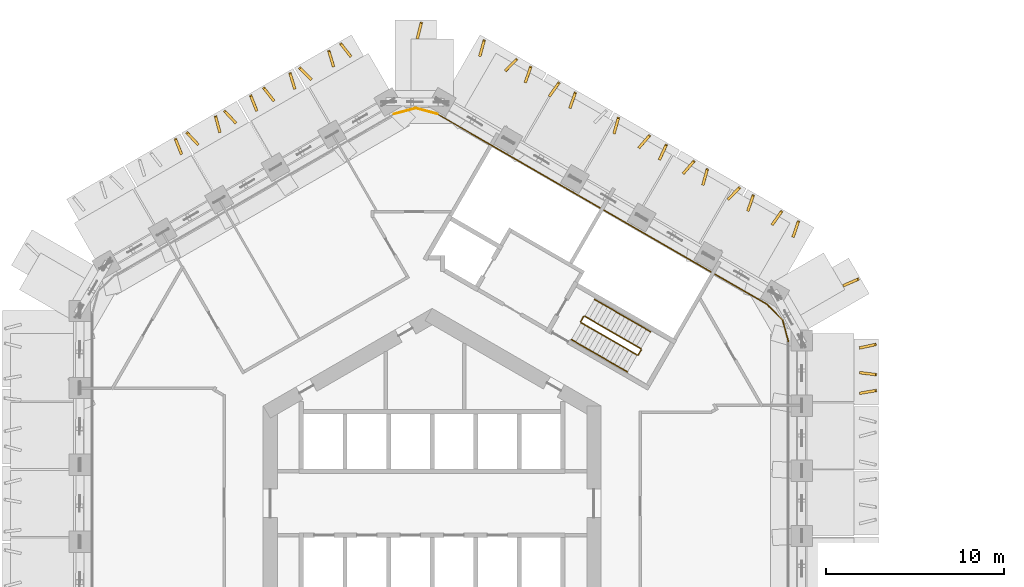
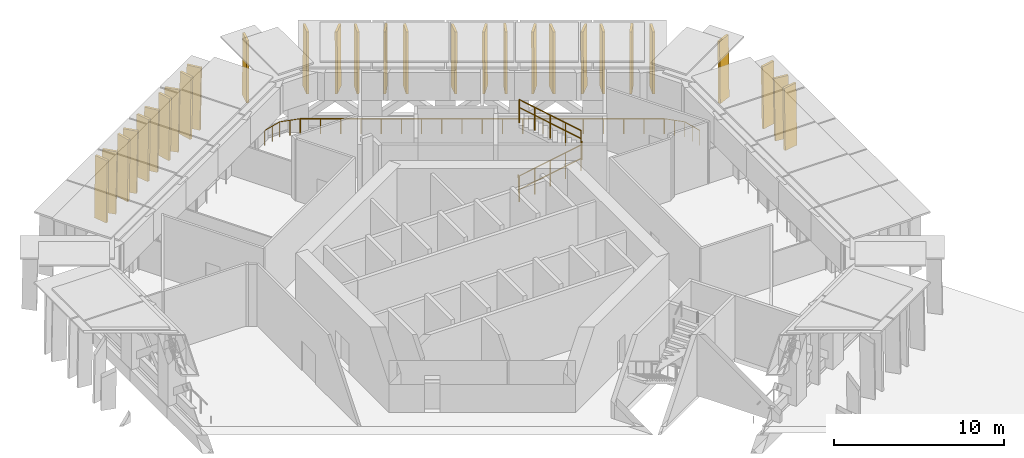
# One storey, part 15 of 16: 29 shading devices, 11 railings.
"""IFC4 building model written with IfcOpenShell, lengths in metres."""

from ifc_helpers import new_model, si_unit, direction, frame, origin, origin_2d, place, context, subcontext, project, spatial, polyline, circle, outline, extrude, material, layer, layer_set, type_object, element, save


model = new_model("IFC4")

# Units and contexts
model_context = context("Model", 3, precision=1e-05, world=origin(), true_north=direction((0.0, 1.0)))
body_context = subcontext(model_context, "Body", "Model", "MODEL_VIEW")
ifc_project = project(units=[si_unit("LENGTHUNIT", "METRE"), si_unit("AREAUNIT", "SQUARE_METRE"), si_unit("VOLUMEUNIT", "CUBIC_METRE"), si_unit("PLANEANGLEUNIT", "RADIAN"), si_unit("MASSUNIT", "GRAM", prefix="KILO")], contexts=[model_context])

# Site, building, storey
site_placement = place(None, origin())
site = spatial("IfcSite", under=ifc_project, at=site_placement, CompositionType="ELEMENT")
building_placement = place(site_placement, origin())
building = spatial("IfcBuilding", under=site, at=building_placement, Name="Ayvan Gate Tower", CompositionType="ELEMENT")
storey_placement = place(building_placement, frame((0.0, 0.0, 78.300048828125)))
storey = spatial("IfcBuildingStorey", under=building, at=storey_placement, Name="L20", CompositionType="ELEMENT", Elevation=78.300048828125)

# Shading devices
ifc_material_1 = material(Name="Bronze anodised aluminium", Category="aluminium")
ifc_layer = layer(ifc_material_1, 0.14990234375)
ifc_layer_set = layer_set([ifc_layer], Name="Bronze anodised aluminium")
shading_device_type = type_object("IfcShadingDeviceType", Name="Bronze fin 900 x 150", PredefinedType="USERDEFINED", material=ifc_layer_set)
shading_device_1_placement = place(storey_placement, frame((-4.5478515625, 25.22607421875, 0.0), z_axis=(0.784441628457, 0.620202553066, 0.000353147294), x_axis=(-0.62020259173, 0.784441677381, -3.7574e-08)))
element("IfcShadingDevice", 1, at=shading_device_1_placement, inside=storey, type_object=shading_device_type, Name="Bronze fin FG06.1.1", ObjectType="FIN", PredefinedType="USERDEFINED", context=body_context, shape_type="SweptSolid", body=[
    extrude(outline(polyline([(0.0, 0.0), (0.899997181562237, 0.0), (0.8281904565911985, 4.500000311722591), (-0.07195814161941003, 4.500000244084222), (0.0, 0.0)])), origin(), (0.0, 0.0, -1.0), 0.14990234375),
])
shading_device_2_placement = place(storey_placement, frame((-5.489501953125, 24.641845703125, 0.0), z_axis=(0.957613209961, 0.288056997303, 0.000326210674), x_axis=(-0.288057012626, 0.957613260913, -1.2742e-08)))
element("IfcShadingDevice", 2, at=shading_device_2_placement, inside=storey, type_object=shading_device_type, Name="Bronze fin FG06.1.2", ObjectType="FIN", PredefinedType="USERDEFINED", context=body_context, shape_type="SweptSolid", body=[
    extrude(outline(polyline([(0.0, 0.0), (0.9002072684798921, 0.0), (0.8282544108234199, 4.500000249983956), (-0.07171906535644455, 4.500000227045707), (0.0, 0.0)])), origin(), (0.0, 0.0, -1.0), 0.14990234375),
])
shading_device_3_placement = place(storey_placement, frame((-6.785400390625, 23.932373046875, 0.0), z_axis=(0.707174546343, 0.707038916395, 0.00036291607), x_axis=(-0.707038962965, 0.707174592904, 3.4805e-08)))
element("IfcShadingDevice", 3, at=shading_device_3_placement, inside=storey, type_object=shading_device_type, Name="Bronze fin FG06.1.3", ObjectType="FIN", PredefinedType="USERDEFINED", context=body_context, shape_type="SweptSolid", body=[
    extrude(outline(polyline([(0.0, 0.0), (0.9001110205447487, 5.421010862427522e-20), (0.8281228625369135, 4.500000267520038), (-0.07181554107351751, 4.500000330171506), (0.0, 0.0)])), origin(), (0.0, 0.0, -1.0), 0.14990234375),
])
shading_device_4_placement = place(storey_placement, frame((-7.666748046875, 23.38623046875, 0.0), z_axis=(0.955866901319, 0.293799873458, 0.000318307569), x_axis=(-0.293799888345, 0.955866949742, 1.2687e-08)))
element("IfcShadingDevice", 4, at=shading_device_4_placement, inside=storey, type_object=shading_device_type, Name="Bronze fin FG06.1.4", ObjectType="FIN", PredefinedType="USERDEFINED", context=body_context, shape_type="SweptSolid", body=[
    extrude(outline(polyline([(0.0, 0.0), (0.8998302106976508, 1.3552527156068805e-20), (0.8279776950990388, 4.500000217465073), (-0.07208588155313861, 4.500000240299754), (0.0, 0.0)])), origin(), (0.0, 0.0, -1.0), 0.14990234375),
])
shading_device_5_placement = place(storey_placement, frame((-8.875, 22.727783203125, 0.0), z_axis=(0.78797703094, 0.615704552149, 0.000321206384), x_axis=(-0.615704583927, 0.787977071577, 6.1161e-08)))
element("IfcShadingDevice", 5, at=shading_device_5_placement, inside=storey, type_object=shading_device_type, Name="Bronze fin FG06.1.5", ObjectType="FIN", PredefinedType="USERDEFINED", context=body_context, shape_type="SweptSolid", body=[
    extrude(outline(polyline([(0.0, 0.0), (0.899886430999582, -2.710505431213761e-20), (0.8280716859178593, 4.500000181494735), (-0.07185680379452787, 4.500000291573358), (0.0, 0.0)])), origin(), (0.0, 0.0, -1.0), 0.14990234375),
])
shading_device_6_placement = place(storey_placement, frame((-9.815185546875, 22.15966796875, 0.0), z_axis=(0.929984387056, 0.367598846109, 0.00035801183), x_axis=(-0.367598869667, 0.929984446655, 0.0)))
element("IfcShadingDevice", 6, at=shading_device_6_placement, inside=storey, type_object=shading_device_type, Name="Bronze fin FG06.1.6", ObjectType="FIN", PredefinedType="USERDEFINED", context=body_context, shape_type="SweptSolid", body=[
    extrude(outline(polyline([(0.0, 0.0), (0.8999226444167245, -1.3552527156068805e-20), (0.8281036034053187, 4.500000288388086), (-0.07181904101140582, 4.500000288388086), (0.0, 0.0)])), origin(), (0.0, 0.0, -1.0), 0.14990234375),
])
shading_device_7_placement = place(storey_placement, frame((-11.02392578125, 21.486572265625, 0.0), z_axis=(0.729003913404, 0.684509443066, 0.000341460346), x_axis=(-0.684509482971, 0.729003955903, 0.0)))
element("IfcShadingDevice", 7, at=shading_device_7_placement, inside=storey, type_object=shading_device_type, Name="Bronze fin FG06.1.7", ObjectType="FIN", PredefinedType="USERDEFINED", context=body_context, shape_type="SweptSolid", body=[
    extrude(outline(polyline([(0.0, 0.0), (0.8998659802363793, 2.710505431213761e-20), (0.8279665089258019, 4.50000026233915), (-0.07189947131057736, 4.50000026233915), (0.0, 0.0)])), origin(), (0.0, 0.0, -1.0), 0.14990234375),
])
shading_device_8_placement = place(storey_placement, frame((-11.881103515625, 20.945556640625, 0.0), z_axis=(0.965937097143, 0.258776745486, 0.000346926671), x_axis=(-0.258776761059, 0.965937155273, 0.0)))
element("IfcShadingDevice", 8, at=shading_device_8_placement, inside=storey, type_object=shading_device_type, Name="Bronze fin FG06.1.8", ObjectType="FIN", PredefinedType="USERDEFINED", context=body_context, shape_type="SweptSolid", body=[
    extrude(outline(polyline([(0.0, 0.0), (0.9000427831971298, 1.3552527156068805e-20), (0.8281745215560044, 4.500000270805784), (-0.07186826164112545, 4.500000270805784), (0.0, 0.0)])), origin(), (0.0, 0.0, -1.0), 0.14990234375),
])
shading_device_9_placement = place(storey_placement, frame((-13.139404296875, 20.26513671875, 0.0), z_axis=(0.729130998554, 0.68437407342, 0.000338493672), x_axis=(-0.684374112627, 0.729131040325, 0.0)))
element("IfcShadingDevice", 9, at=shading_device_9_placement, inside=storey, type_object=shading_device_type, Name="Bronze fin FG06.1.9", ObjectType="FIN", PredefinedType="USERDEFINED", context=body_context, shape_type="SweptSolid", body=[
    extrude(outline(polyline([(0.0, 0.0), (0.9000439752325704, 0.0), (0.8281442198568908, 4.500000257800447), (-0.0718997553756795, 4.500000257800447), (0.0, 0.0)])), origin(), (0.0, 0.0, -1.0), 0.14990234375),
])
shading_device_10_placement = place(storey_placement, frame((-14.045654296875, 19.717041015625, 0.0), z_axis=(0.929984387056, 0.367598846109, 0.00035801183), x_axis=(-0.367598869667, 0.929984446655, 0.0)))
element("IfcShadingDevice", 10, at=shading_device_10_placement, inside=storey, type_object=shading_device_type, Name="Bronze fin FG06.1.10", ObjectType="FIN", PredefinedType="USERDEFINED", context=body_context, shape_type="SweptSolid", body=[
    extrude(outline(polyline([(0.0, 0.0), (0.8999226444167245, -1.3552527156068805e-20), (0.8281036034053187, 4.500000288388086), (-0.07181904101140582, 4.500000288388086), (0.0, 0.0)])), origin(), (0.0, 0.0, -1.0), 0.14990234375),
])
shading_device_11_placement = place(storey_placement, frame((24.12060546875, 6.126953125, 0.0), z_axis=(0.168598613255, -0.98568473252, 0.000340126405), x_axis=(0.985684789532, 0.168598623025, 5.3258e-08)))
element("IfcShadingDevice", 11, at=shading_device_11_placement, inside=storey, type_object=shading_device_type, Name="Bronze fin FG06.9.77", ObjectType="FIN", PredefinedType="USERDEFINED", context=body_context, shape_type="SweptSolid", body=[
    extrude(outline(polyline([(0.0, 0.0), (0.8998684530981609, 6.776263578034403e-21), (0.8280296758721549, 4.500000216194363), (-0.07203826115337583, 4.50000031205515), (0.0, 0.0)])), origin(), (0.0, 0.0, -1.0), 0.14990234375),
])
shading_device_12_placement = place(storey_placement, frame((24.101806640625, 7.26953125, 0.0), z_axis=(-0.119760226629, -0.992802784741, 0.000344568664), x_axis=(0.99280284368, -0.119760233723, 4.6398e-08)))
element("IfcShadingDevice", 12, at=shading_device_12_placement, inside=storey, type_object=shading_device_type, Name="Bronze fin FG06.9.78", ObjectType="FIN", PredefinedType="USERDEFINED", context=body_context, shape_type="SweptSolid", body=[
    extrude(outline(polyline([(0.0, 0.0), (0.90001774192865, 0.0), (0.8282855783816562, 4.500000228706386), (-0.0717614018853051, 4.500000312225504), (0.0, 0.0)])), origin(), (0.0, 0.0, -1.0), 0.14990234375),
])
shading_device_13_placement = place(storey_placement, frame((24.1201171875, 8.6806640625, 0.0), z_axis=(0.213195309458, -0.977009547923, 0.000321392155), x_axis=(0.977009598382, 0.213195320469, 0.0)))
element("IfcShadingDevice", 13, at=shading_device_13_placement, inside=storey, type_object=shading_device_type, Name="Bronze fin FG06.9.79", ObjectType="FIN", PredefinedType="USERDEFINED", context=body_context, shape_type="SweptSolid", body=[
    extrude(outline(polyline([(0.0, 0.0), (0.9000879138817854, 0.0), (0.8281865693507628, 4.500000232409082), (-0.07190134453102257, 4.500000232409082), (0.0, 0.0)])), origin(), (0.0, 0.0, -1.0), 0.14990234375),
])
shading_device_14_placement = place(storey_placement, frame((23.209228515625, 12.1962890625, 0.0), z_axis=(0.404060902474, -0.914732032992, 0.000308073938), x_axis=(0.914732076396, 0.404060921659, 3.8221e-08)))
element("IfcShadingDevice", 14, at=shading_device_14_placement, inside=storey, type_object=shading_device_type, Name="Bronze fin FG06.10.80", ObjectType="FIN", PredefinedType="USERDEFINED", context=body_context, shape_type="SweptSolid", body=[
    extrude(outline(polyline([(0.0, 0.0), (0.9000310876171508, 1.3552527156068805e-20), (0.8282648197255307, 4.500000181889446), (-0.07166762020566804, 4.500000250685751), (0.0, 0.0)])), origin(), (0.0, 0.0, -1.0), 0.14990234375),
])
shading_device_15_placement = place(storey_placement, frame((20.390380859375, 15.01513671875, 0.0), z_axis=(0.94530805611, -0.326178748199, 0.000321366818), x_axis=(0.326178765055, 0.94530810492, -4.12e-08)))
element("IfcShadingDevice", 15, at=shading_device_15_placement, inside=storey, type_object=shading_device_type, Name="Bronze fin FG06.11.81", ObjectType="FIN", PredefinedType="USERDEFINED", context=body_context, shape_type="SweptSolid", body=[
    extrude(outline(polyline([(0.0, 0.0), (0.9000956542985612, -1.3552527156068805e-20), (0.8282753343792776, 4.500000266497277), (-0.07174068643172146, 4.500000192332916), (0.0, 0.0)])), origin(), (0.0, 0.0, -1.0), 0.14990234375),
])
shading_device_16_placement = place(storey_placement, frame((19.21923828125, 15.673828125, 0.0), z_axis=(0.815699092593, -0.578476326889, 0.000359959722), x_axis=(0.578476364354, 0.815699145447, 3.9828e-08)))
element("IfcShadingDevice", 16, at=shading_device_16_placement, inside=storey, type_object=shading_device_type, Name="Bronze fin FG06.11.82", ObjectType="FIN", PredefinedType="USERDEFINED", context=body_context, shape_type="SweptSolid", body=[
    extrude(outline(polyline([(0.0, 0.0), (0.8999313816316776, -2.710505431213761e-20), (0.8282180935495134, 4.5000002585488135), (-0.07185451766330533, 4.500000330238725), (0.0, 0.0)])), origin(), (0.0, 0.0, -1.0), 0.14990234375),
])
shading_device_17_placement = place(storey_placement, frame((17.849853515625, 16.482177734375, 0.0), z_axis=(0.946046899189, -0.324029540095, 0.000348827714), x_axis=(0.324029559799, 0.94604695675, 2.9435e-08)))
element("IfcShadingDevice", 17, at=shading_device_17_placement, inside=storey, type_object=shading_device_type, Name="Bronze fin FG06.11.83", ObjectType="FIN", PredefinedType="USERDEFINED", context=body_context, shape_type="SweptSolid", body=[
    extrude(outline(polyline([(0.0, 0.0), (0.899843025534236, -1.3552527156068805e-20), (0.8281058665825961, 4.500000249406879), (-0.07204723622618812, 4.500000302388884), (0.0, 0.0)])), origin(), (0.0, 0.0, -1.0), 0.14990234375),
])
shading_device_18_placement = place(storey_placement, frame((16.734619140625, 17.080810546875, 0.0), z_axis=(0.712376886779, -0.701797032025, 0.000311487333), x_axis=(0.70179706607, 0.712376921338, 0.0)))
element("IfcShadingDevice", 18, at=shading_device_18_placement, inside=storey, type_object=shading_device_type, Name="Bronze fin FG06.11.84", ObjectType="FIN", PredefinedType="USERDEFINED", context=body_context, shape_type="SweptSolid", body=[
    extrude(outline(polyline([(0.0, 0.0), (0.8999635755267725, 2.710505431213761e-20), (0.8279838814993119, 4.500000218304822), (-0.0719796940274607, 4.500000218304822), (0.0, 0.0)])), origin(), (0.0, 0.0, -1.0), 0.14990234375),
])
shading_device_19_placement = place(storey_placement, frame((15.3173828125, 17.942626953125, 0.0), z_axis=(0.963564472881, -0.267475948835, 0.000351278354), x_axis=(0.267475965337, 0.963564532331, 0.0)))
element("IfcShadingDevice", 19, at=shading_device_19_placement, inside=storey, type_object=shading_device_type, Name="Bronze fin FG06.11.85", ObjectType="FIN", PredefinedType="USERDEFINED", context=body_context, shape_type="SweptSolid", body=[
    extrude(outline(polyline([(0.0, 0.0), (0.8999786427400962, -1.3552527156068805e-20), (0.8280888343487134, 4.50000027764211), (-0.07188980839138291, 4.50000027764211), (0.0, 0.0)])), origin(), (0.0, 0.0, -1.0), 0.14990234375),
])
shading_device_20_placement = place(storey_placement, frame((14.218505859375, 18.5458984375, 0.0), z_axis=(0.755635334461, -0.654992466364, 0.00033214652), x_axis=(0.654992502492, 0.755635376143, 4.535e-09)))
element("IfcShadingDevice", 20, at=shading_device_20_placement, inside=storey, type_object=shading_device_type, Name="Bronze fin FG06.11.86", ObjectType="FIN", PredefinedType="USERDEFINED", context=body_context, shape_type="SweptSolid", body=[
    extrude(outline(polyline([(0.0, 0.0), (0.8998038143493297, -8.131516293641283e-20), (0.8280845879329468, 4.500000244467627), (-0.07206361798831529, 4.500000252630365), (0.0, 0.0)])), origin(), (0.0, 0.0, -1.0), 0.14990234375),
])
shading_device_21_placement = place(storey_placement, frame((12.87841796875, 19.3505859375, 0.0), z_axis=(0.908419326514, -0.418060081277, 0.000309287234), x_axis=(0.418060101268, 0.908419369965, 1.7537e-08)))
element("IfcShadingDevice", 21, at=shading_device_21_placement, inside=storey, type_object=shading_device_type, Name="Bronze fin FG06.11.87", ObjectType="FIN", PredefinedType="USERDEFINED", context=body_context, shape_type="SweptSolid", body=[
    extrude(outline(polyline([(0.0, 0.0), (0.9000310268718525, 0.0), (0.8281944783458312, 4.500000200707872), (-0.07161476645327614, 4.500000232271525), (0.0, 0.0)])), origin(), (0.0, 0.0, -1.0), 0.14990234375),
])
shading_device_22_placement = place(storey_placement, frame((11.719482421875, 19.988525390625, 0.0), z_axis=(0.754941191016, -0.655792428775, 0.000297436161), x_axis=(0.655792457777, 0.754941224416, 3.0459e-08)))
element("IfcShadingDevice", 22, at=shading_device_22_placement, inside=storey, type_object=shading_device_type, Name="Bronze fin FG06.11.88", ObjectType="FIN", PredefinedType="USERDEFINED", context=body_context, shape_type="SweptSolid", body=[
    extrude(outline(polyline([(0.0, 0.0), (0.8999149897453294, 2.710505431213761e-20), (0.8280100383514993, 4.500000173833275), (-0.072065056974342, 4.500000228659152), (0.0, 0.0)])), origin(), (0.0, 0.0, -1.0), 0.14990234375),
])
shading_device_23_placement = place(storey_placement, frame((10.318603515625, 20.82861328125, 0.0), z_axis=(0.963688637175, -0.267028275626, 0.000332558383), x_axis=(0.267028290378, 0.963688690469, 4.3464e-08)))
element("IfcShadingDevice", 23, at=shading_device_23_placement, inside=storey, type_object=shading_device_type, Name="Bronze fin FG06.11.89", ObjectType="FIN", PredefinedType="USERDEFINED", context=body_context, shape_type="SweptSolid", body=[
    extrude(outline(polyline([(0.0, 0.0), (0.9000834362715348, 0.0), (0.8282597580558523, 4.500000212839281), (-0.07188887066938818, 4.500000291084974), (0.0, 0.0)])), origin(), (0.0, 0.0, -1.0), 0.14990234375),
])
shading_device_24_placement = place(storey_placement, frame((7.842529296875, 22.259765625, 0.0), z_axis=(0.945949453863, -0.324313900801, 0.000352822968), x_axis=(0.324313920972, 0.945949512746, 4.5272e-08)))
element("IfcShadingDevice", 24, at=shading_device_24_placement, inside=storey, type_object=shading_device_type, Name="Bronze fin FG06.11.91", ObjectType="FIN", PredefinedType="USERDEFINED", context=body_context, shape_type="SweptSolid", body=[
    extrude(outline(polyline([(0.0, 0.0), (0.8999221402601761, -1.3552527156068805e-20), (0.8281846067928786, 4.500000242595542), (-0.07181671167065984, 4.500000324081722), (0.0, 0.0)])), origin(), (0.0, 0.0, -1.0), 0.14990234375),
])
shading_device_25_placement = place(storey_placement, frame((6.6923828125, 22.906005859375, 0.0), z_axis=(0.815087656463, -0.579337557123, 0.000327395369), x_axis=(0.579337588175, 0.815087700145, -1.0468e-08)))
element("IfcShadingDevice", 25, at=shading_device_25_placement, inside=storey, type_object=shading_device_type, Name="Bronze fin FG06.11.92", ObjectType="FIN", PredefinedType="USERDEFINED", context=body_context, shape_type="SweptSolid", body=[
    extrude(outline(polyline([(0.0, 0.0), (0.9000985418157608, 0.0), (0.8280430258512212, 4.500000249839977), (-0.07171508010313346, 4.500000230999913), (0.0, 0.0)])), origin(), (0.0, 0.0, -1.0), 0.14990234375),
])
shading_device_26_placement = place(storey_placement, frame((5.33447265625, 23.707763671875, 0.0), z_axis=(0.944747127177, -0.327799857362, 0.000345259326), x_axis=(0.327799876914, 0.944747183481, -4.4236e-08)))
element("IfcShadingDevice", 26, at=shading_device_26_placement, inside=storey, type_object=shading_device_type, Name="Bronze fin FG06.11.93", ObjectType="FIN", PredefinedType="USERDEFINED", context=body_context, shape_type="SweptSolid", body=[
    extrude(outline(polyline([(0.0, 0.0), (0.9001134011848467, 1.3552527156068805e-20), (0.8282104653164288, 4.500000304845583), (-0.07182290660159311, 4.500000225214658), (0.0, 0.0)])), origin(), (0.0, 0.0, -1.0), 0.14990234375),
])
shading_device_27_placement = place(storey_placement, frame((4.20751953125, 24.3134765625, 0.0), z_axis=(0.713250738046, -0.70090888272, 0.000350430248), x_axis=(0.700908925748, 0.713250781848, 3.3309e-08)))
element("IfcShadingDevice", 27, at=shading_device_27_placement, inside=storey, type_object=shading_device_type, Name="Bronze fin FG06.11.94", ObjectType="FIN", PredefinedType="USERDEFINED", context=body_context, shape_type="SweptSolid", body=[
    extrude(outline(polyline([(0.0, 0.0), (0.9001460499006524, 2.710505431213761e-20), (0.8281683080930453, 4.500000248717711), (-0.07180360831594494, 4.500000308677656), (0.0, 0.0)])), origin(), (0.0, 0.0, -1.0), 0.14990234375),
])
shading_device_28_placement = place(storey_placement, frame((2.770263671875, 25.186767578125, 0.0), z_axis=(0.963758404766, -0.266776355499, 0.000336732474), x_axis=(0.266776370609, 0.96375845941, 4.4016e-08)))
element("IfcShadingDevice", 28, at=shading_device_28_placement, inside=storey, type_object=shading_device_type, Name="Bronze fin FG06.11.95", ObjectType="FIN", PredefinedType="USERDEFINED", context=body_context, shape_type="SweptSolid", body=[
    extrude(outline(polyline([(0.0, 0.0), (0.9000183053205625, 0.0), (0.828194992483782, 4.500000218670791), (-0.07188844378663614, 4.500000297904314), (0.0, 0.0)])), origin(), (0.0, 0.0, -1.0), 0.14990234375),
])
shading_device_29_placement = place(storey_placement, frame((-0.74365234375, 26.177001953125, 0.0), z_axis=(0.969468583981, -0.245215332937, 0.000324294433), x_axis=(0.245215345832, 0.969468634959, 0.0)))
element("IfcShadingDevice", 29, at=shading_device_29_placement, inside=storey, type_object=shading_device_type, Name="Bronze fin FG06.12.96", ObjectType="FIN", PredefinedType="USERDEFINED", context=body_context, shape_type="SweptSolid", body=[
    extrude(outline(polyline([(0.0, 0.0), (0.9000379819272869, 0.0), (0.8281493370778882, 4.500000236625497), (-0.07188864484939868, 4.500000236625497), (0.0, 0.0)])), origin(), (0.0, 0.0, -1.0), 0.14990234375),
])

# Railings
ifc_material_2 = material(Name="Stainless steel balustrade", Category="steel")
railing_type_1 = type_object("IfcRailingType", Name="RL-GUARD-1100", PredefinedType="GUARDRAIL", material=ifc_material_2)
railing_1_placement = place(storey_placement, frame((8.381103515625, 10.16650390625, 0.17138671875)))
element("IfcRailing", 30, at=railing_1_placement, inside=storey, type_object=railing_type_1, Name="L20 STS1 stair guard 1", PredefinedType="GUARDRAIL", context=body_context, shape_type="SweptSolid", body=[
    extrude(circle(Radius=0.02392578125, at=origin_2d()), frame((0.0, 0.0, 1.076171875), z_axis=(0.738592093898, -0.426440834883, 0.522139764025), x_axis=(0.500012742938, 0.866018046521, 0.0)), (0.0, 0.0, 1.0), 4.26806640625),
    extrude(circle(Radius=0.02099609375, at=origin_2d()), origin(), (0.0, 0.0, 1.0), 1.052001953125),
    extrude(circle(Radius=0.02099609375, at=origin_2d()), frame((0.7880859375, -0.455078125, 0.55712890625)), (0.0, 0.0, 1.0), 1.052001953125),
    extrude(circle(Radius=0.02099609375, at=origin_2d()), frame((1.576171875, -0.91015625, 1.1142578125)), (0.0, 0.0, 1.0), 1.052001953125),
    extrude(circle(Radius=0.02099609375, at=origin_2d()), frame((2.3642578125, -1.364990234375, 1.67138671875)), (0.0, 0.0, 1.0), 1.052001953125),
    extrude(circle(Radius=0.02099609375, at=origin_2d()), frame((3.15234375, -1.820068359375, 2.228515625)), (0.0, 0.0, 1.0), 1.052001953125),
])
railing_2_placement = place(storey_placement, frame((11.601806640625, 8.36474609375, 2.39990234375)))
element("IfcRailing", 31, at=railing_2_placement, inside=storey, type_object=railing_type_1, Name="L20 STS1 stair guard 2", PredefinedType="GUARDRAIL", context=body_context, shape_type="SweptSolid", body=[
    extrude(circle(Radius=0.02392578125, at=origin_2d()), frame((0.0, 0.0, 1.076171875), z_axis=(0.499949632511, 0.866054481515, 0.0), x_axis=(-0.866054481515, 0.499949632511, 0.0)), (0.0, 0.0, 1.0), 0.31005859375),
    extrude(circle(Radius=0.02099609375, at=origin_2d()), origin(), (0.0, 0.0, 1.0), 1.052001953125),
    extrude(circle(Radius=0.02099609375, at=origin_2d()), frame((0.155029296875, 0.2685546875, 0.0)), (0.0, 0.0, 1.0), 1.052001953125),
])
railing_3_placement = place(storey_placement, frame((11.738525390625, 8.70166015625, 2.5712890625)))
element("IfcRailing", 32, at=railing_3_placement, inside=storey, type_object=railing_type_1, Name="L20 STS1 stair guard 3", PredefinedType="GUARDRAIL", context=body_context, shape_type="SweptSolid", body=[
    extrude(circle(Radius=0.02392578125, at=origin_2d()), frame((0.0, 0.0, 1.076171875), z_axis=(-0.738588048336, 0.426381297421, 0.522194105736), x_axis=(-0.499962438169, -0.866047089031, 0.0)), (0.0, 0.0, 1.0), 4.26806640625),
    extrude(circle(Radius=0.02099609375, at=origin_2d()), origin(), (0.0, 0.0, 1.0), 1.052001953125),
    extrude(circle(Radius=0.02099609375, at=origin_2d()), frame((-0.7880859375, 0.455078125, 0.55712890625)), (0.0, 0.0, 1.0), 1.052001953125),
    extrude(circle(Radius=0.02099609375, at=origin_2d()), frame((-1.576171875, 0.909912109375, 1.1142578125)), (0.0, 0.0, 1.0), 1.052001953125),
    extrude(circle(Radius=0.02099609375, at=origin_2d()), frame((-2.3642578125, 1.36474609375, 1.671630859375)), (0.0, 0.0, 1.0), 1.052001953125),
    extrude(circle(Radius=0.02099609375, at=origin_2d()), frame((-3.15234375, 1.81982421875, 2.228759765625)), (0.0, 0.0, 1.0), 1.052001953125),
])
railing_4_placement = place(storey_placement, frame((8.36279296875, 10.23486328125, 0.0)))
element("IfcRailing", 33, at=railing_4_placement, inside=storey, type_object=railing_type_1, Name="L20 STS1 stair guard 4", PredefinedType="GUARDRAIL", context=body_context, shape_type="SweptSolid", body=[
    extrude(circle(Radius=0.02392578125, at=origin_2d()), frame((0.0, 0.0, 1.076171875), z_axis=(0.500290723946, 0.86585748916, 0.0), x_axis=(-0.86585748916, 0.500290723946, 0.0)), (0.0, 0.0, 1.0), 0.309814453125),
    extrude(circle(Radius=0.02099609375, at=origin_2d()), origin(), (0.0, 0.0, 1.0), 1.052001953125),
    extrude(circle(Radius=0.02099609375, at=origin_2d()), frame((0.155029296875, 0.268310546875, 0.0)), (0.0, 0.0, 1.0), 1.052001953125),
])
railing_type_2 = type_object("IfcRailingType", Name="RL-HANDRAIL-900", PredefinedType="HANDRAIL", material=ifc_material_2)
railing_5_placement = place(storey_placement, frame((7.8310546875, 9.2138671875, 0.17138671875)))
element("IfcRailing", 34, at=railing_5_placement, inside=storey, type_object=railing_type_2, Name="L20 STS1 stair handrail 1", PredefinedType="HANDRAIL", context=body_context, shape_type="SweptSolid", body=[
    extrude(circle(Radius=0.02392578125, at=origin_2d()), frame((0.0, 0.0, 0.8759765625), z_axis=(0.738610110021, -0.426394033464, 0.52215250033), x_axis=(0.499962438169, 0.866047089031, 0.0)), (0.0, 0.0, 1.0), 2.134033203125),
    extrude(circle(Radius=0.02099609375, at=origin_2d()), origin(), (0.0, 0.0, 1.0), 0.851806640625),
    extrude(circle(Radius=0.02099609375, at=origin_2d()), frame((0.7880859375, -0.455078125, 0.55712890625)), (0.0, 0.0, 1.0), 0.851806640625),
    extrude(circle(Radius=0.02099609375, at=origin_2d()), frame((1.576171875, -0.909912109375, 1.1142578125)), (0.0, 0.0, 1.0), 0.851806640625),
])
railing_6_placement = place(storey_placement, frame((9.4072265625, 8.303955078125, 1.28564453125)))
element("IfcRailing", 35, at=railing_6_placement, inside=storey, type_object=railing_type_2, Name="L20 STS1 stair handrail 2", PredefinedType="HANDRAIL", context=body_context, shape_type="SweptSolid", body=[
    extrude(circle(Radius=0.02392578125, at=origin_2d()), frame((0.0, 0.0, 0.8759765625), z_axis=(0.738574076676, -0.426487632876, 0.522127026944), x_axis=(0.500063042646, 0.865989003036, 0.0)), (0.0, 0.0, 1.0), 2.134033203125),
    extrude(circle(Radius=0.02099609375, at=origin_2d()), origin(), (0.0, 0.0, 1.0), 0.851806640625),
    extrude(circle(Radius=0.02099609375, at=origin_2d()), frame((0.7880859375, -0.455078125, 0.55712890625)), (0.0, 0.0, 1.0), 0.851806640625),
    extrude(circle(Radius=0.02099609375, at=origin_2d()), frame((1.576171875, -0.91015625, 1.1142578125)), (0.0, 0.0, 1.0), 0.851806640625),
])
railing_7_placement = place(storey_placement, frame((12.288330078125, 9.654296875, 2.5712890625)))
element("IfcRailing", 36, at=railing_7_placement, inside=storey, type_object=railing_type_2, Name="L20 STS1 stair handrail 3", PredefinedType="HANDRAIL", context=body_context, shape_type="SweptSolid", body=[
    extrude(circle(Radius=0.02392578125, at=origin_2d()), frame((0.0, 0.0, 0.8759765625), z_axis=(-0.738610110021, 0.426394033464, 0.52215250033), x_axis=(-0.499962438169, -0.866047089031, 0.0)), (0.0, 0.0, 1.0), 2.134033203125),
    extrude(circle(Radius=0.02099609375, at=origin_2d()), origin(), (0.0, 0.0, 1.0), 0.851806640625),
    extrude(circle(Radius=0.02099609375, at=origin_2d()), frame((-0.7880859375, 0.455078125, 0.55712890625)), (0.0, 0.0, 1.0), 0.851806640625),
    extrude(circle(Radius=0.02099609375, at=origin_2d()), frame((-1.576171875, 0.909912109375, 1.1142578125)), (0.0, 0.0, 1.0), 0.851806640625),
])
railing_8_placement = place(storey_placement, frame((10.712158203125, 10.564208984375, 3.685546875)))
element("IfcRailing", 37, at=railing_8_placement, inside=storey, type_object=railing_type_2, Name="L20 STS1 stair handrail 4", PredefinedType="HANDRAIL", context=body_context, shape_type="SweptSolid", body=[
    extrude(circle(Radius=0.02392578125, at=origin_2d()), frame((0.0, 0.0, 0.8759765625), z_axis=(-0.738565986212, 0.426368561123, 0.522235707413), x_axis=(-0.499962438169, -0.866047089031, 0.0)), (0.0, 0.0, 1.0), 2.134033203125),
    extrude(circle(Radius=0.02099609375, at=origin_2d()), origin(), (0.0, 0.0, 1.0), 0.851806640625),
    extrude(circle(Radius=0.02099609375, at=origin_2d()), frame((-0.7880859375, 0.455078125, 0.55712890625)), (0.0, 0.0, 1.0), 0.851806640625),
    extrude(circle(Radius=0.02099609375, at=origin_2d()), frame((-1.576171875, 0.909912109375, 1.114501953125)), (0.0, 0.0, 1.0), 0.851806640625),
])
ifc_material_3 = material(Name="Stainless steel 316 and laminated glass", Category="steel")
railing_type_3 = type_object("IfcRailingType", Name="Refuge band guard 1100", PredefinedType="GUARDRAIL", material=ifc_material_3)
railing_9_placement = place(storey_placement, frame((20.03466796875, 9.10498046875, 0.0)))
element("IfcRailing", 38, at=railing_9_placement, inside=storey, type_object=railing_type_3, Name="Refuge band guard L20.10", PredefinedType="GUARDRAIL", context=body_context, shape_type="SweptSolid", body=[
    extrude(circle(Radius=0.02490234375, at=origin_2d()), frame((0.0, 0.0, 1.0751953125), z_axis=(-0.258911363806, 0.965901084838, 0.0), x_axis=(-0.965901084838, -0.258911363806, 0.0)), (0.0, 0.0, 1.0), 1.253173828125),
    extrude(circle(Radius=0.02490234375, at=origin_2d()), frame((-0.324462890625, 1.21044921875, 1.0751953125), z_axis=(-0.707009363432, 0.707204185522, 0.0), x_axis=(-0.707204185522, -0.707009363432, 0.0)), (0.0, 0.0, 1.0), 1.253173828125),
    extrude(circle(Radius=0.02001953125, at=origin_2d()), origin(), (0.0, 0.0, 1.0), 1.050048828125),
    extrude(circle(Radius=0.02001953125, at=origin_2d()), frame((-0.162109375, 0.605224609375, 0.0)), (0.0, 0.0, 1.0), 1.050048828125),
    extrude(circle(Radius=0.02001953125, at=origin_2d()), frame((-0.324462890625, 1.21044921875, 0.0)), (0.0, 0.0, 1.0), 1.050048828125),
    extrude(circle(Radius=0.02001953125, at=origin_2d()), frame((-0.767578125, 1.653564453125, 0.0)), (0.0, 0.0, 1.0), 1.050048828125),
    extrude(circle(Radius=0.02001953125, at=origin_2d()), frame((-1.21044921875, 2.0966796875, 0.0)), (0.0, 0.0, 1.0), 1.050048828125),
])
railing_10_placement = place(storey_placement, frame((18.82421875, 11.20166015625, 0.0)))
element("IfcRailing", 39, at=railing_10_placement, inside=storey, type_object=railing_type_3, Name="Refuge band guard L20.11", PredefinedType="GUARDRAIL", context=body_context, shape_type="SweptSolid", body=[
    extrude(circle(Radius=0.02490234375, at=origin_2d()), frame((0.0, 0.0, 1.0751953125), z_axis=(-0.866025452127, 0.499999916269, 0.0), x_axis=(-0.499999916269, -0.866025452127, 0.0)), (0.0, 0.0, 1.0), 21.40283203125),
    extrude(circle(Radius=0.02001953125, at=origin_2d()), origin(), (0.0, 0.0, 1.0), 1.050048828125),
    extrude(circle(Radius=0.02001953125, at=origin_2d()), frame((-1.02978515625, 0.594482421875, 0.0)), (0.0, 0.0, 1.0), 1.050048828125),
    extrude(circle(Radius=0.02001953125, at=origin_2d()), frame((-2.0595703125, 1.18896484375, 0.0)), (0.0, 0.0, 1.0), 1.050048828125),
    extrude(circle(Radius=0.02001953125, at=origin_2d()), frame((-3.08935546875, 1.78369140625, 0.0)), (0.0, 0.0, 1.0), 1.050048828125),
    extrude(circle(Radius=0.02001953125, at=origin_2d()), frame((-4.118896484375, 2.378173828125, 0.0)), (0.0, 0.0, 1.0), 1.050048828125),
    extrude(circle(Radius=0.02001953125, at=origin_2d()), frame((-5.148681640625, 2.97265625, 0.0)), (0.0, 0.0, 1.0), 1.050048828125),
    extrude(circle(Radius=0.02001953125, at=origin_2d()), frame((-6.178466796875, 3.567138671875, 0.0)), (0.0, 0.0, 1.0), 1.050048828125),
    extrude(circle(Radius=0.02001953125, at=origin_2d()), frame((-7.208251953125, 4.16162109375, 0.0)), (0.0, 0.0, 1.0), 1.050048828125),
    extrude(circle(Radius=0.02001953125, at=origin_2d()), frame((-8.238037109375, 4.756103515625, 0.0)), (0.0, 0.0, 1.0), 1.050048828125),
    extrude(circle(Radius=0.02001953125, at=origin_2d()), frame((-9.267578125, 5.3505859375, 0.0)), (0.0, 0.0, 1.0), 1.050048828125),
    extrude(circle(Radius=0.02001953125, at=origin_2d()), frame((-10.29736328125, 5.9453125, 0.0)), (0.0, 0.0, 1.0), 1.050048828125),
    extrude(circle(Radius=0.02001953125, at=origin_2d()), frame((-11.3271484375, 6.539794921875, 0.0)), (0.0, 0.0, 1.0), 1.050048828125),
    extrude(circle(Radius=0.02001953125, at=origin_2d()), frame((-12.35693359375, 7.13427734375, 0.0)), (0.0, 0.0, 1.0), 1.050048828125),
    extrude(circle(Radius=0.02001953125, at=origin_2d()), frame((-13.38671875, 7.728759765625, 0.0)), (0.0, 0.0, 1.0), 1.050048828125),
    extrude(circle(Radius=0.02001953125, at=origin_2d()), frame((-14.41650390625, 8.3232421875, 0.0)), (0.0, 0.0, 1.0), 1.050048828125),
    extrude(circle(Radius=0.02001953125, at=origin_2d()), frame((-15.4462890625, 8.91796875, 0.0)), (0.0, 0.0, 1.0), 1.050048828125),
    extrude(circle(Radius=0.02001953125, at=origin_2d()), frame((-16.475830078125, 9.512451171875, 0.0)), (0.0, 0.0, 1.0), 1.050048828125),
    extrude(circle(Radius=0.02001953125, at=origin_2d()), frame((-17.505615234375, 10.10693359375, 0.0)), (0.0, 0.0, 1.0), 1.050048828125),
    extrude(circle(Radius=0.02001953125, at=origin_2d()), frame((-18.535400390625, 10.701416015625, 0.0)), (0.0, 0.0, 1.0), 1.050048828125),
])
railing_11_placement = place(storey_placement, frame((0.288818359375, 21.903076171875, 0.0)))
element("IfcRailing", 40, at=railing_11_placement, inside=storey, type_object=railing_type_3, Name="Refuge band guard L20.12", PredefinedType="GUARDRAIL", context=body_context, shape_type="SweptSolid", body=[
    extrude(circle(Radius=0.02490234375, at=origin_2d()), frame((0.0, 0.0, 1.0751953125), z_axis=(-0.965949790486, 0.258729592934, 0.0), x_axis=(-0.258729592934, -0.965949790486, 0.0)), (0.0, 0.0, 1.0), 1.253173828125),
    extrude(circle(Radius=0.02490234375, at=origin_2d()), frame((-1.21044921875, 0.32421875, 1.0751953125), z_axis=(-0.965949790486, -0.258729592934, 0.0), x_axis=(0.258729592934, -0.965949790486, 0.0)), (0.0, 0.0, 1.0), 1.253173828125),
    extrude(circle(Radius=0.02001953125, at=origin_2d()), origin(), (0.0, 0.0, 1.0), 1.050048828125),
    extrude(circle(Radius=0.02001953125, at=origin_2d()), frame((-0.605224609375, 0.162109375, 0.0)), (0.0, 0.0, 1.0), 1.050048828125),
    extrude(circle(Radius=0.02001953125, at=origin_2d()), frame((-1.21044921875, 0.32421875, 0.0)), (0.0, 0.0, 1.0), 1.050048828125),
    extrude(circle(Radius=0.02001953125, at=origin_2d()), frame((-1.815673828125, 0.162109375, 0.0)), (0.0, 0.0, 1.0), 1.050048828125),
    extrude(circle(Radius=0.02001953125, at=origin_2d()), frame((-2.4208984375, 0.0, 0.0)), (0.0, 0.0, 1.0), 1.050048828125),
])

save(model, "model.ifc")
